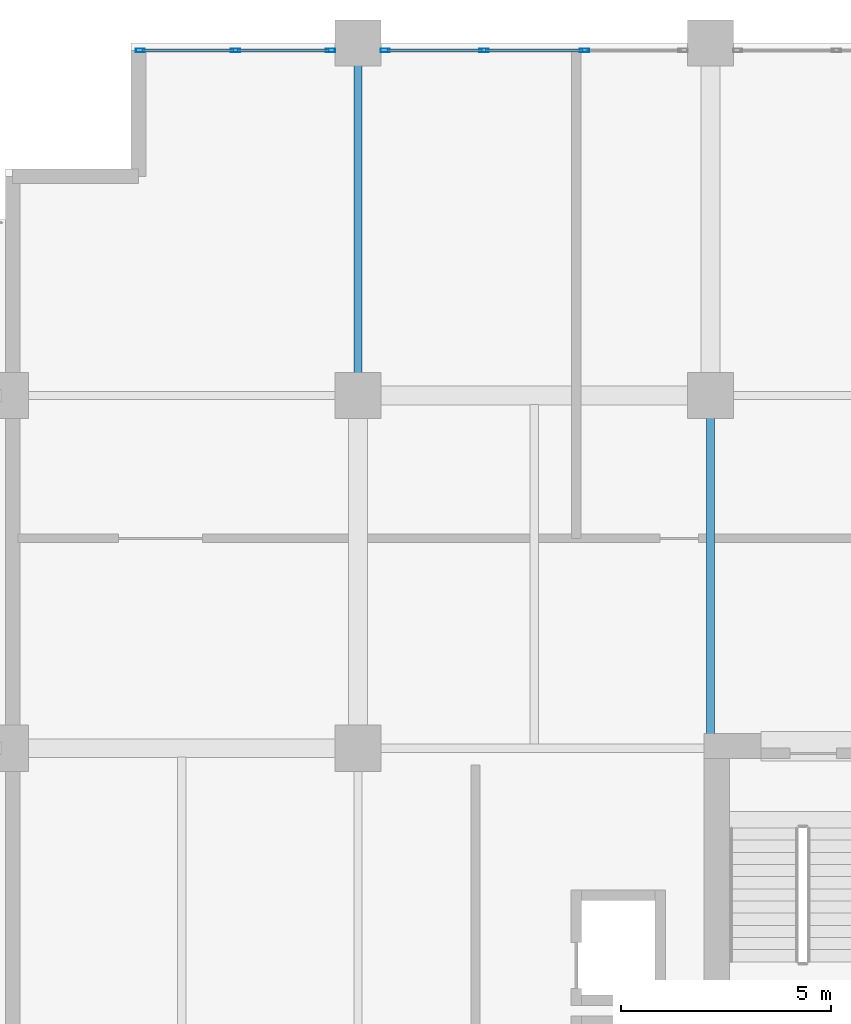
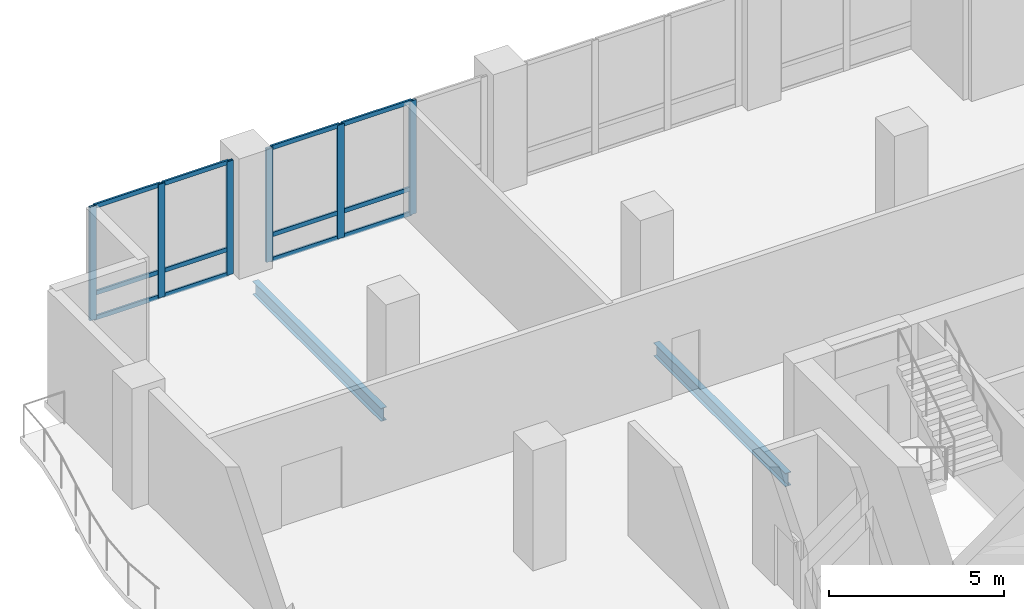
# One storey, part 6 of 22: 18 members, 2 beams, 2 elements without a shape of their own.
"""IFC4 building model written with IfcOpenShell, lengths in metres."""

from ifc_helpers import new_model, si_unit, direction, frame, origin, origin_2d, place, context, subcontext, project, spatial, hollow_rectangle, i_section, extrude, material, layer, layer_set, material_profile, profile_set, type_object, element, aggregate, save


model = new_model("IFC4")

# Units and contexts
model_context = context("Model", 3, precision=1e-05, world=origin(), true_north=direction((0.0, 1.0)))
body_context = subcontext(model_context, "Body", "Model", "MODEL_VIEW")
ifc_project = project(units=[si_unit("LENGTHUNIT", "METRE"), si_unit("AREAUNIT", "SQUARE_METRE"), si_unit("VOLUMEUNIT", "CUBIC_METRE"), si_unit("PLANEANGLEUNIT", "RADIAN"), si_unit("MASSUNIT", "GRAM", prefix="KILO")], contexts=[model_context])

# Site, building, storey
site_placement = place(None, origin())
site = spatial("IfcSite", under=ifc_project, at=site_placement, CompositionType="ELEMENT")
building_placement = place(site_placement, origin())
building = spatial("IfcBuilding", under=site, at=building_placement, Name="Koriwani Terraces Tower", CompositionType="ELEMENT")
storey_placement = place(building_placement, frame((0.0, 0.0, 219.800048828125)))
storey = spatial("IfcBuildingStorey", under=building, at=storey_placement, Name="L54", CompositionType="ELEMENT", Elevation=219.800048828125)

# Curtain wall, members
ifc_material_1 = material(Name="Anodised Bronze Aluminium", Category="aluminium")
ifc_layer = layer(ifc_material_1, 0.219970703125, Name="Anodised Bronze Aluminium")
ifc_layer_set = layer_set([ifc_layer], Name="Anodised Bronze Aluminium")
curtain_wall_type = type_object("IfcCurtainWallType", Name="CW_SKY_LOUNGE", PredefinedType="NOTDEFINED", material=ifc_layer_set)
curtain_wall_1_placement = place(storey_placement, origin())
curtain_wall_1 = element("IfcCurtainWall", 1, at=curtain_wall_1_placement, inside=storey, type_object=curtain_wall_type, Name="L54 Unitised Curtain Wall (N_TIP) Bay 1", PredefinedType="NOTDEFINED")
ifc_material_profile_1 = material_profile(ifc_material_1, hollow_rectangle(XDim=0.0849609375, YDim=0.219970703125, WallThickness=0.008056640625, at=origin_2d()), Name="Anodised Bronze Aluminium", Category="LoadBearing")
ifc_profile_set_1 = profile_set([ifc_material_profile_1], Name="Anodised Bronze Aluminium")
member_type_1 = type_object("IfcMemberType", Name="CW_MULLION_220X85", PredefinedType="MULLION", material=ifc_profile_set_1)
member_1_placement = place(storey_placement, frame((3.217529296875, 75.425048828125, 0.0), z_axis=(0.0, 0.0, 1.0), x_axis=(0.0, 1.0, 0.0)))
member_1 = element("IfcMember", 2, at=member_1_placement, type_object=member_type_1, Name="CW-SKY mullion 1", PredefinedType="MULLION", context=body_context, shape_type="SweptSolid", body=[
    extrude(hollow_rectangle(XDim=0.0849609375, YDim=0.219970703125, WallThickness=0.008056640625, at=origin_2d()), origin(), (0.0, 0.0, 1.0), 3.969970703125),
])
member_2_placement = place(storey_placement, frame((5.482421875, 75.425048828125, 0.0), z_axis=(0.0, 0.0, 1.0), x_axis=(0.0, 1.0, 0.0)))
member_2 = element("IfcMember", 3, at=member_2_placement, type_object=member_type_1, Name="CW-SKY mullion 2", PredefinedType="MULLION", context=body_context, shape_type="SweptSolid", body=[
    extrude(hollow_rectangle(XDim=0.0849609375, YDim=0.219970703125, WallThickness=0.008056640625, at=origin_2d()), origin(), (0.0, 0.0, 1.0), 3.969970703125),
])
member_3_placement = place(storey_placement, frame((7.74755859375, 75.425048828125, 0.0), z_axis=(0.0, 0.0, 1.0), x_axis=(0.0, 1.0, 0.0)))
member_3 = element("IfcMember", 4, at=member_3_placement, type_object=member_type_1, Name="CW-SKY mullion 3", PredefinedType="MULLION", context=body_context, shape_type="SweptSolid", body=[
    extrude(hollow_rectangle(XDim=0.0849609375, YDim=0.219970703125, WallThickness=0.008056640625, at=origin_2d()), origin(), (0.0, 0.0, 1.0), 3.969970703125),
])

curtain_wall_2_placement = place(storey_placement, origin())
curtain_wall_2 = element("IfcCurtainWall", 5, at=curtain_wall_2_placement, inside=storey, type_object=curtain_wall_type, Name="L54 Unitised Curtain Wall (N_TIP) Bay 2", PredefinedType="NOTDEFINED")
member_4_placement = place(storey_placement, frame((9.052490234375, 75.425048828125, 0.0), z_axis=(0.0, 0.0, 1.0), x_axis=(0.0, 1.0, 0.0)))
member_4 = element("IfcMember", 6, at=member_4_placement, type_object=member_type_1, Name="CW-SKY mullion 1", PredefinedType="MULLION", context=body_context, shape_type="SweptSolid", body=[
    extrude(hollow_rectangle(XDim=0.0849609375, YDim=0.219970703125, WallThickness=0.008056640625, at=origin_2d()), origin(), (0.0, 0.0, 1.0), 3.969970703125),
])
member_5_placement = place(storey_placement, frame((11.4033203125, 75.425048828125, 0.0), z_axis=(0.0, 0.0, 1.0), x_axis=(0.0, 1.0, 0.0)))
member_5 = element("IfcMember", 7, at=member_5_placement, type_object=member_type_1, Name="CW-SKY mullion 2", PredefinedType="MULLION", context=body_context, shape_type="SweptSolid", body=[
    extrude(hollow_rectangle(XDim=0.0849609375, YDim=0.219970703125, WallThickness=0.008056640625, at=origin_2d()), origin(), (0.0, 0.0, 1.0), 3.969970703125),
])
member_6_placement = place(storey_placement, frame((13.796630859375, 75.425048828125, 0.0), z_axis=(0.0, 0.0, 1.0), x_axis=(0.0, 1.0, 0.0)))
member_6 = element("IfcMember", 8, at=member_6_placement, type_object=member_type_1, Name="CW-SKY mullion 3", PredefinedType="MULLION", context=body_context, shape_type="SweptSolid", body=[
    extrude(hollow_rectangle(XDim=0.0849609375, YDim=0.219970703125, WallThickness=0.008056640625, at=origin_2d()), origin(), (0.0, 0.0, 1.0), 3.969970703125),
])

# Member
ifc_material_profile_2 = material_profile(ifc_material_1, hollow_rectangle(XDim=0.06494140625, YDim=0.14990234375, WallThickness=0.0048828125, at=origin_2d()), Name="Anodised Bronze Aluminium", Category="LoadBearing")
ifc_profile_set_2 = profile_set([ifc_material_profile_2], Name="Anodised Bronze Aluminium")
member_type_2 = type_object("IfcMemberType", Name="CW_TRANSOM_150X65", PredefinedType="USERDEFINED", material=ifc_profile_set_2)
member_7_placement = place(storey_placement, frame((3.260009765625, 75.425048828125, 0.032470703125), z_axis=(1.0, 0.0, 0.0), x_axis=(0.0, 1.0, 0.0)))
member_7 = element("IfcMember", 9, at=member_7_placement, type_object=member_type_2, Name="CW-SKY transom 1.1", ObjectType="TRANSOM", PredefinedType="USERDEFINED", context=body_context, shape_type="SweptSolid", body=[
    extrude(hollow_rectangle(XDim=0.06494140625, YDim=0.14990234375, WallThickness=0.0048828125, at=origin_2d()), origin(), (0.0, 0.0, 1.0), 2.179931640625),
])

member_8_placement = place(storey_placement, frame((3.260009765625, 75.425048828125, 0.89990234375), z_axis=(1.0, 0.0, 0.0), x_axis=(0.0, 1.0, 0.0)))
member_8 = element("IfcMember", 10, at=member_8_placement, type_object=member_type_2, Name="CW-SKY transom 1.2", ObjectType="TRANSOM", PredefinedType="USERDEFINED", context=body_context, shape_type="SweptSolid", body=[
    extrude(hollow_rectangle(XDim=0.06494140625, YDim=0.14990234375, WallThickness=0.0048828125, at=origin_2d()), origin(), (0.0, 0.0, 1.0), 2.179931640625),
])

member_9_placement = place(storey_placement, frame((3.260009765625, 75.425048828125, 3.9375), z_axis=(1.0, 0.0, 0.0), x_axis=(0.0, 1.0, 0.0)))
member_9 = element("IfcMember", 11, at=member_9_placement, type_object=member_type_2, Name="CW-SKY transom 1.3", ObjectType="TRANSOM", PredefinedType="USERDEFINED", context=body_context, shape_type="SweptSolid", body=[
    extrude(hollow_rectangle(XDim=0.06494140625, YDim=0.14990234375, WallThickness=0.0048828125, at=origin_2d()), origin(), (0.0, 0.0, 1.0), 2.179931640625),
])

member_10_placement = place(storey_placement, frame((5.52490234375, 75.425048828125, 0.032470703125), z_axis=(1.0, 0.0, 0.0), x_axis=(0.0, 1.0, 0.0)))
member_10 = element("IfcMember", 12, at=member_10_placement, type_object=member_type_2, Name="CW-SKY transom 2.1", ObjectType="TRANSOM", PredefinedType="USERDEFINED", context=body_context, shape_type="SweptSolid", body=[
    extrude(hollow_rectangle(XDim=0.06494140625, YDim=0.14990234375, WallThickness=0.0048828125, at=origin_2d()), origin(), (0.0, 0.0, 1.0), 2.18017578125),
])

member_11_placement = place(storey_placement, frame((5.52490234375, 75.425048828125, 0.89990234375), z_axis=(1.0, 0.0, 0.0), x_axis=(0.0, 1.0, 0.0)))
member_11 = element("IfcMember", 13, at=member_11_placement, type_object=member_type_2, Name="CW-SKY transom 2.2", ObjectType="TRANSOM", PredefinedType="USERDEFINED", context=body_context, shape_type="SweptSolid", body=[
    extrude(hollow_rectangle(XDim=0.06494140625, YDim=0.14990234375, WallThickness=0.0048828125, at=origin_2d()), origin(), (0.0, 0.0, 1.0), 2.18017578125),
])

member_12_placement = place(storey_placement, frame((5.52490234375, 75.425048828125, 3.9375), z_axis=(1.0, 0.0, 0.0), x_axis=(0.0, 1.0, 0.0)))
member_12 = element("IfcMember", 14, at=member_12_placement, type_object=member_type_2, Name="CW-SKY transom 2.3", ObjectType="TRANSOM", PredefinedType="USERDEFINED", context=body_context, shape_type="SweptSolid", body=[
    extrude(hollow_rectangle(XDim=0.06494140625, YDim=0.14990234375, WallThickness=0.0048828125, at=origin_2d()), origin(), (0.0, 0.0, 1.0), 2.18017578125),
])

aggregate(curtain_wall_1, [member_1, member_2, member_3, member_7, member_8, member_9, member_10, member_11, member_12])

member_13_placement = place(storey_placement, frame((9.094970703125, 75.425048828125, 0.032470703125), z_axis=(1.0, 0.0, 0.0), x_axis=(0.0, 1.0, 0.0)))
member_13 = element("IfcMember", 15, at=member_13_placement, type_object=member_type_2, Name="CW-SKY transom 1.1", ObjectType="TRANSOM", PredefinedType="USERDEFINED", context=body_context, shape_type="SweptSolid", body=[
    extrude(hollow_rectangle(XDim=0.06494140625, YDim=0.14990234375, WallThickness=0.0048828125, at=origin_2d()), origin(), (0.0, 0.0, 1.0), 2.265869140625),
])

member_14_placement = place(storey_placement, frame((9.094970703125, 75.425048828125, 0.89990234375), z_axis=(1.0, 0.0, 0.0), x_axis=(0.0, 1.0, 0.0)))
member_14 = element("IfcMember", 16, at=member_14_placement, type_object=member_type_2, Name="CW-SKY transom 1.2", ObjectType="TRANSOM", PredefinedType="USERDEFINED", context=body_context, shape_type="SweptSolid", body=[
    extrude(hollow_rectangle(XDim=0.06494140625, YDim=0.14990234375, WallThickness=0.0048828125, at=origin_2d()), origin(), (0.0, 0.0, 1.0), 2.265869140625),
])

member_15_placement = place(storey_placement, frame((9.094970703125, 75.425048828125, 3.9375), z_axis=(1.0, 0.0, 0.0), x_axis=(0.0, 1.0, 0.0)))
member_15 = element("IfcMember", 17, at=member_15_placement, type_object=member_type_2, Name="CW-SKY transom 1.3", ObjectType="TRANSOM", PredefinedType="USERDEFINED", context=body_context, shape_type="SweptSolid", body=[
    extrude(hollow_rectangle(XDim=0.06494140625, YDim=0.14990234375, WallThickness=0.0048828125, at=origin_2d()), origin(), (0.0, 0.0, 1.0), 2.265869140625),
])

member_16_placement = place(storey_placement, frame((11.44580078125, 75.425048828125, 0.032470703125), z_axis=(1.0, 0.0, 0.0), x_axis=(0.0, 1.0, 0.0)))
member_16 = element("IfcMember", 18, at=member_16_placement, type_object=member_type_2, Name="CW-SKY transom 2.1", ObjectType="TRANSOM", PredefinedType="USERDEFINED", context=body_context, shape_type="SweptSolid", body=[
    extrude(hollow_rectangle(XDim=0.06494140625, YDim=0.14990234375, WallThickness=0.0048828125, at=origin_2d()), origin(), (0.0, 0.0, 1.0), 2.308349609375),
])

member_17_placement = place(storey_placement, frame((11.44580078125, 75.425048828125, 0.89990234375), z_axis=(1.0, 0.0, 0.0), x_axis=(0.0, 1.0, 0.0)))
member_17 = element("IfcMember", 19, at=member_17_placement, type_object=member_type_2, Name="CW-SKY transom 2.2", ObjectType="TRANSOM", PredefinedType="USERDEFINED", context=body_context, shape_type="SweptSolid", body=[
    extrude(hollow_rectangle(XDim=0.06494140625, YDim=0.14990234375, WallThickness=0.0048828125, at=origin_2d()), origin(), (0.0, 0.0, 1.0), 2.308349609375),
])

member_18_placement = place(storey_placement, frame((11.44580078125, 75.425048828125, 3.9375), z_axis=(1.0, 0.0, 0.0), x_axis=(0.0, 1.0, 0.0)))
member_18 = element("IfcMember", 20, at=member_18_placement, type_object=member_type_2, Name="CW-SKY transom 2.3", ObjectType="TRANSOM", PredefinedType="USERDEFINED", context=body_context, shape_type="SweptSolid", body=[
    extrude(hollow_rectangle(XDim=0.06494140625, YDim=0.14990234375, WallThickness=0.0048828125, at=origin_2d()), origin(), (0.0, 0.0, 1.0), 2.308349609375),
])

aggregate(curtain_wall_2, [member_4, member_5, member_6, member_13, member_14, member_15, member_16, member_17, member_18])

# Beams
ifc_material_2 = material(Name="Steel ASTM A572 Grade 50", Category="steel")
ifc_material_profile_3 = material_profile(ifc_material_2, i_section(OverallWidth=0.193115234375, OverallDepth=0.462890625, WebThickness=0.0107421875, FlangeThickness=0.017333984375, at=origin_2d()), Name="Steel ASTM A572 Grade 50", Category="LoadBearing")
ifc_profile_set_3 = profile_set([ifc_material_profile_3], Name="Steel ASTM A572 Grade 50")
beam_type = type_object("IfcBeamType", Name="STEEL_BEAM_W460X113", PredefinedType="BEAM", material=ifc_profile_set_3)
beam_1_placement = place(storey_placement, frame((8.39990234375, 67.72998046875, -0.461669921875), z_axis=(0.0, 1.0, 0.0), x_axis=(-1.0, 0.0, 0.0)))
element("IfcBeam", 21, at=beam_1_placement, inside=storey, type_object=beam_type, Name="L54 Grid Beam 2 (67.2-75.6m)", PredefinedType="BEAM", context=body_context, shape_type="SweptSolid", body=[
    extrude(i_section(OverallWidth=0.193115234375, OverallDepth=0.462890625, WebThickness=0.0107421875, FlangeThickness=0.017333984375, at=origin_2d()), origin(), (0.0, 0.0, 1.0), 7.340087890625),
])
beam_2_placement = place(storey_placement, frame((16.800048828125, 59.1298828125, -0.461669921875), z_axis=(0.0, 1.0, 0.0), x_axis=(-1.0, 0.0, 0.0)))
element("IfcBeam", 22, at=beam_2_placement, inside=storey, type_object=beam_type, Name="L54 Grid Beam 3 (58.8-67.2m)", PredefinedType="BEAM", context=body_context, shape_type="SweptSolid", body=[
    extrude(i_section(OverallWidth=0.193115234375, OverallDepth=0.462890625, WebThickness=0.0107421875, FlangeThickness=0.017333984375, at=origin_2d()), origin(), (0.0, 0.0, 1.0), 7.5400390625),
])

save(model, "model.ifc")
